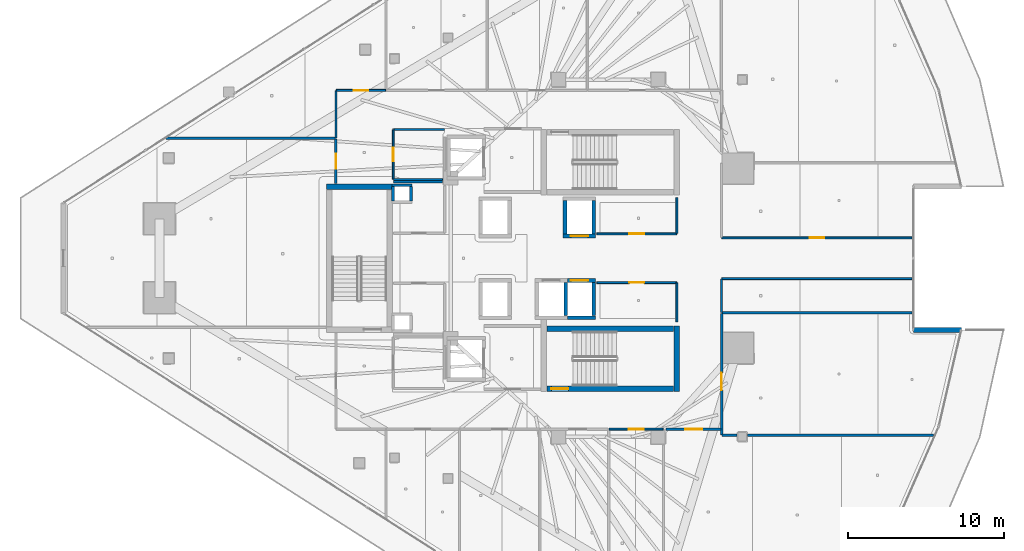
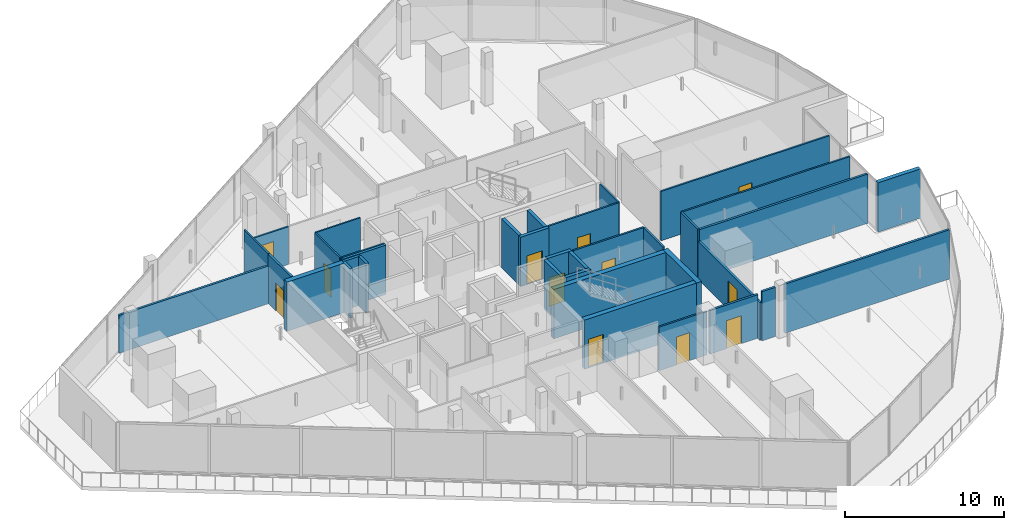
# One storey, part 26 of 37: 36 walls, 12 doors, 12 openings.
"""IFC4 building model written with IfcOpenShell, lengths in metres."""

from ifc_helpers import new_model, si_unit, direction, frame, frame_2d, origin, place, context, subcontext, project, spatial, rectangle, extrude, material, layer, layer_set, type_object, element, fill, save


model = new_model("IFC4")

# Units and contexts
model_context = context("Model", 3, precision=1e-05, world=origin(), true_north=direction((0.0, 1.0)))
body_context = subcontext(model_context, "Body", "Model", "MODEL_VIEW")
ifc_project = project(units=[si_unit("LENGTHUNIT", "METRE"), si_unit("AREAUNIT", "SQUARE_METRE"), si_unit("VOLUMEUNIT", "CUBIC_METRE"), si_unit("PLANEANGLEUNIT", "RADIAN"), si_unit("MASSUNIT", "GRAM", prefix="KILO")], contexts=[model_context])

# Site, building, storey
site_placement = place(None, origin())
site = spatial("IfcSite", under=ifc_project, at=site_placement, CompositionType="ELEMENT")
building_placement = place(site_placement, origin())
building = spatial("IfcBuilding", under=site, at=building_placement, Name="Qorvath Tower", CompositionType="ELEMENT")
storey_placement = place(building_placement, frame((0.0, 0.0, 188.85009765625)))
storey = spatial("IfcBuildingStorey", under=building, at=storey_placement, Name="L43", CompositionType="ELEMENT", Elevation=188.85009765625)

# Walls
ifc_material_1 = material(Name="Gypsum shaftliner on steel studs", Category="steel")
ifc_layer_1 = layer(ifc_material_1, 0.179931640625)
ifc_layer_set_1 = layer_set([ifc_layer_1], Name="FW-LOBBY")
wall_type_1 = type_object("IfcWallType", Name="FW-LOBBY", PredefinedType="PARTITIONING", material=ifc_layer_set_1)
wall_1_placement = place(storey_placement, frame((-34.260009765625, 4.675048828125, 0.0), z_axis=(0.0, 0.0, 1.0), x_axis=(1.0, 0.0, 0.0)))
element("IfcWall", 1, at=wall_1_placement, inside=storey, type_object=wall_type_1, Name="MEP Riser Shaft Enclosure Wall N-L43-N", PredefinedType="PARTITIONING", context=body_context, shape_type="SweptSolid", body=[
    extrude(rectangle(XDim=1.27001953125, YDim=0.179931640625, at=frame_2d((0.635009765625, 0.0))), origin(), (0.0, 0.0, 1.0), 3.77978515625),
])
for number, where, z_axis, x_axis, name in (
    (2, (-34.205078125, 3.659912109375, 0.0), (0.0, 0.0, 1.0), (0.0, 1.0, 0.0), "MEP Riser Shaft Enclosure Wall N-L43-W"),
    (3, (-33.044921875, 4.610107421875, 0.0), (0.0, 0.0, 1.0), (0.0, -1.0, 0.0), "MEP Riser Shaft Enclosure Wall N-L43-E"),
):
    element("IfcWall", number, at=place(storey_placement, frame(where, z_axis=z_axis, x_axis=x_axis)), inside=storey, type_object=wall_type_1, Name=name, PredefinedType="PARTITIONING", context=body_context, shape_type="SweptSolid", body=[
        extrude(rectangle(XDim=0.9501953125, YDim=0.179931640625, at=frame_2d((0.47509765625, 0.0))), origin(), (0.0, 0.0, 1.0), 3.77978515625),
    ])
wall_2_placement = place(storey_placement, frame((-31.014892578125, 4.89990234375, 0.0), z_axis=(0.0, 0.0, 1.0), x_axis=(-1.0, 0.0, 0.0)))
element("IfcWall", 4, at=wall_2_placement, inside=storey, type_object=wall_type_1, Name="Interior Partition IW-T1-L43-019", PredefinedType="PARTITIONING", context=body_context, shape_type="SweptSolid", body=[
    extrude(rectangle(XDim=3.139892578125, YDim=0.179931640625, at=frame_2d((1.56982421875, 0.0))), origin(), (0.0, 0.0, 1.0), 3.77978515625),
])
ifc_material_2 = material(Name="Double acoustic gypsum board on steel studs", Category="steel")
ifc_layer_2 = layer(ifc_material_2, 0.159912109375)
ifc_layer_set_2 = layer_set([ifc_layer_2], Name="IW-ACOUSTIC-160")
wall_type_2 = type_object("IfcWallType", Name="IW-ACOUSTIC-160", PredefinedType="PARTITIONING", material=ifc_layer_set_2)
wall_3_placement = place(storey_placement, frame((0.459716796875, -11.3583984375, 0.0), z_axis=(0.0, 0.0, 1.0), x_axis=(-0.999999924277, 0.000389160817, 0.0)))
element("IfcWall", 5, at=wall_3_placement, inside=storey, type_object=wall_type_2, Name="Interior Partition IW-T1-L43-042", PredefinedType="PARTITIONING", context=body_context, shape_type="SweptSolid", body=[
    extrude(rectangle(XDim=11.919677734375, YDim=0.159912109375, at=frame_2d((5.9599609375, 0.0))), origin(), (0.0, 0.0, 1.0), 3.77978515625),
])
wall_4_placement = place(storey_placement, frame((-12.139892578125, -11.3544921875, 0.0), z_axis=(0.0, 0.0, 1.0), x_axis=(-0.999999723608, 0.000743494218, 0.0)))
element("IfcWall", 6, at=wall_4_placement, inside=storey, type_object=wall_type_2, Name="Interior Partition IW-T1-L43-043", PredefinedType="PARTITIONING", context=body_context, shape_type="SweptSolid", body=[
    extrude(rectangle(XDim=0.985107421875, YDim=0.159912109375, at=frame_2d((0.49267578125, 0.0))), origin(), (0.0, 0.0, 1.0), 3.77978515625),
])

# Wall, opening, door
wall_5_placement = place(storey_placement, frame((-13.1748046875, -10.9580078125, 0.0), z_axis=(0.0, 0.0, 1.0), x_axis=(-0.999997523311, -0.002225616967, 0.0)))
wall_5 = element("IfcWall", 7, at=wall_5_placement, inside=storey, type_object=wall_type_2, Name="Interior Partition IW-T1-L43-044", PredefinedType="PARTITIONING", context=body_context, shape_type="SweptSolid", body=[
    extrude(rectangle(XDim=3.51025390625, YDim=0.159912109375, at=frame_2d((1.755126953125, 0.0))), origin(), (0.0, 0.0, 1.0), 3.343994140625),
])
opening_1_placement = place(wall_5_placement, frame((1.205078125, 0.0, 0.0)))
opening_1 = element("IfcOpeningElement", 8, at=opening_1_placement, cuts=wall_5, Name="Opening D-T1-L43-14", PredefinedType="OPENING", context=body_context, shape_type="SweptSolid", body=[
    extrude(rectangle(XDim=1.10009765625, YDim=2.14990234375, at=frame_2d((0.550048828125, 1.074951171875))), frame((0.0, 0.08984375, 0.0), z_axis=(0.0, -1.0, 0.0), x_axis=(1.0, 0.0, 0.0)), (0.0, 0.0, 1.0), 0.179931640625),
])
ifc_material_3 = material(Name="Anodised aluminium acoustic framed glass", Category="aluminium")
door_type_1 = type_object("IfcDoorType", Name="D-03", OperationType="NOTDEFINED", PredefinedType="DOOR", material=ifc_material_3)
door_1_placement = place(opening_1_placement, origin())
door_1 = element("IfcDoor", 9, at=door_1_placement, inside=storey, type_object=door_type_1, Name="L43-08 Team Project Office Door D-T1-L43-14", OperationType="SINGLE_SWING_RIGHT", OverallHeight=2.14990234375, OverallWidth=1.10009765625, PredefinedType="DOOR", context=body_context, shape_type="SweptSolid", body=[
    extrude(rectangle(XDim=1.10009765625, YDim=2.14990234375, at=frame_2d((0.550048828125, 1.074951171875))), frame((0.0, 0.02490234375, 0.0), z_axis=(0.0, -1.0, 0.0), x_axis=(1.0, 0.0, 0.0)), (0.0, 0.0, 1.0), 0.050048828125),
])
fill(opening_1, door_1)

# Wall
wall_6_placement = place(storey_placement, frame((-0.918212890625, -3.509765625, 0.0), z_axis=(0.0, 0.0, 1.0), x_axis=(-1.0, 0.0, 0.0)))
element("IfcWall", 10, at=wall_6_placement, inside=storey, type_object=wall_type_2, Name="Interior Partition IW-T1-L43-045", PredefinedType="PARTITIONING", context=body_context, shape_type="SweptSolid", body=[
    extrude(rectangle(XDim=12.198974609375, YDim=0.159912109375, at=frame_2d((6.099609375, 0.0))), origin(), (0.0, 0.0, 1.0), 3.77978515625),
])

# Wall, opening, door
wall_7_placement = place(storey_placement, frame((-13.14208984375, -3.534912109375, 0.0), z_axis=(0.0, 0.0, 1.0), x_axis=(0.0, -1.0, 0.0)))
wall_7 = element("IfcWall", 11, at=wall_7_placement, inside=storey, type_object=wall_type_2, Name="Interior Partition IW-T1-L43-046", PredefinedType="PARTITIONING", context=body_context, shape_type="SweptSolid", body=[
    extrude(rectangle(XDim=7.785888671875, YDim=0.159912109375, at=frame_2d((3.89306640625, 0.0))), origin(), (0.0, 0.0, 1.0), 2.899658203125),
])
opening_2_placement = place(wall_7_placement, frame((3.820556640625, 0.0, 0.0)))
opening_2 = element("IfcOpeningElement", 12, at=opening_2_placement, cuts=wall_7, Name="Opening D-T1-L43-15", PredefinedType="OPENING", context=body_context, shape_type="SweptSolid", body=[
    extrude(rectangle(XDim=1.10009765625, YDim=2.14990234375, at=frame_2d((0.550048828125, 1.074951171875))), frame((0.0, 0.08984375, 0.0), z_axis=(0.0, -1.0, 0.0), x_axis=(1.0, 0.0, 0.0)), (0.0, 0.0, 1.0), 0.179931640625),
])
door_2_placement = place(opening_2_placement, origin())
door_2 = element("IfcDoor", 13, at=door_2_placement, inside=storey, type_object=door_type_1, Name="L43-09 Enclosed Conference Suite Door D-T1-L43-15", OperationType="SINGLE_SWING_LEFT", OverallHeight=2.14990234375, OverallWidth=1.10009765625, PredefinedType="DOOR", context=body_context, shape_type="SweptSolid", body=[
    extrude(rectangle(XDim=1.10009765625, YDim=2.14990234375, at=frame_2d((0.550048828125, 1.074951171875))), frame((0.0, 0.02490234375, 0.0), z_axis=(0.0, -1.0, 0.0), x_axis=(1.0, 0.0, 0.0)), (0.0, 0.0, 1.0), 0.050048828125),
])
fill(opening_2, door_2)

wall_8_placement = place(storey_placement, frame((-37.85791015625, 4.783203125, 0.0), z_axis=(0.0, 0.0, 1.0), x_axis=(0.0, 1.0, 0.0)))
wall_8 = element("IfcWall", 14, at=wall_8_placement, inside=storey, type_object=wall_type_2, Name="Interior Partition IW-T1-L43-056", PredefinedType="PARTITIONING", context=body_context, shape_type="SweptSolid", body=[
    extrude(rectangle(XDim=2.8720703125, YDim=0.159912109375, at=frame_2d((1.43603515625, 0.0))), origin(), (0.0, 0.0, 1.0), 3.77978515625),
])
opening_3_placement = place(wall_8_placement, frame((0.9609375, 0.0, 0.0)))
opening_3 = element("IfcOpeningElement", 15, at=opening_3_placement, cuts=wall_8, Name="Opening D-T1-L43-19", PredefinedType="OPENING", context=body_context, shape_type="SweptSolid", body=[
    extrude(rectangle(XDim=0.949951171875, YDim=2.14990234375, at=frame_2d((0.47509765625, 1.074951171875))), frame((0.0, 0.08984375, 0.0), z_axis=(0.0, -1.0, 0.0), x_axis=(1.0, 0.0, 0.0)), (0.0, 0.0, 1.0), 0.179931640625),
])
ifc_material_4 = material(Name="Solid-core American white oak veneer", Category="wood")
door_type_2 = type_object("IfcDoorType", Name="D-01", OperationType="NOTDEFINED", PredefinedType="DOOR", material=ifc_material_4)
door_3_placement = place(opening_3_placement, origin())
door_3 = element("IfcDoor", 16, at=door_3_placement, inside=storey, type_object=door_type_2, Name="L43-13 Staff Wellness Studio Door D-T1-L43-19", OperationType="SINGLE_SWING_LEFT", OverallHeight=2.14990234375, OverallWidth=0.949951171875, PredefinedType="DOOR", context=body_context, shape_type="SweptSolid", body=[
    extrude(rectangle(XDim=0.949951171875, YDim=2.14990234375, at=frame_2d((0.47509765625, 1.074951171875))), frame((0.0, 0.02490234375, 0.0), z_axis=(0.0, -1.0, 0.0), x_axis=(1.0, 0.0, 0.0)), (0.0, 0.0, 1.0), 0.050048828125),
])
fill(opening_3, door_3)

# Wall
wall_9_placement = place(storey_placement, frame((-37.8828125, 7.68017578125, 0.0), z_axis=(0.0, 0.0, 1.0), x_axis=(-1.0, 0.0, 0.0)))
element("IfcWall", 17, at=wall_9_placement, inside=storey, type_object=wall_type_2, Name="Interior Partition IW-T1-L43-057", PredefinedType="PARTITIONING", context=body_context, shape_type="SweptSolid", body=[
    extrude(rectangle(XDim=10.886474609375, YDim=0.159912109375, at=frame_2d((5.443359375, 0.0))), origin(), (0.0, 0.0, 1.0), 2.899658203125),
])

# Wall, opening, door
ifc_material_5 = material(Name="Gypsum board on metal studs with mineral wool", Category="gypsum")
ifc_layer_3 = layer(ifc_material_5, 0.125)
ifc_layer_set_3 = layer_set([ifc_layer_3], Name="IW-PART-125")
wall_type_3 = type_object("IfcWallType", Name="IW-PART-125", PredefinedType="PARTITIONING", material=ifc_layer_set_3)
wall_10_placement = place(storey_placement, frame((-21.1337890625, 1.56005859375, 0.0), z_axis=(0.0, 0.0, 1.0), x_axis=(1.0, 0.0, 0.0)))
wall_10 = element("IfcWall", 18, at=wall_10_placement, inside=storey, type_object=wall_type_3, Name="Interior Partition IW-T1-L43-013", PredefinedType="PARTITIONING", context=body_context, shape_type="SweptSolid", body=[
    extrude(rectangle(XDim=5.10888671875, YDim=0.125, at=frame_2d((2.554443359375, 0.0))), origin(), (0.0, 0.0, 1.0), 3.77978515625),
])
opening_4_placement = place(wall_10_placement, frame((2.079345703125, 0.0, 0.0)))
opening_4 = element("IfcOpeningElement", 19, at=opening_4_placement, cuts=wall_10, Name="Opening D-T1-L43-03", PredefinedType="OPENING", context=body_context, shape_type="SweptSolid", body=[
    extrude(rectangle(XDim=0.949951171875, YDim=2.14990234375, at=frame_2d((0.47509765625, 1.074951171875))), frame((0.0, 0.072509765625, 0.0), z_axis=(0.0, -1.0, 0.0), x_axis=(1.0, 0.0, 0.0)), (0.0, 0.0, 1.0), 0.14501953125),
])
door_4_placement = place(opening_4_placement, origin())
door_4 = element("IfcDoor", 20, at=door_4_placement, inside=storey, type_object=door_type_2, Name="L43-RCN North Quantitative Server Suite Door D-T1-L43-03", OperationType="SINGLE_SWING_LEFT", OverallHeight=2.14990234375, OverallWidth=0.949951171875, PredefinedType="DOOR", context=body_context, shape_type="SweptSolid", body=[
    extrude(rectangle(XDim=0.949951171875, YDim=2.14990234375, at=frame_2d((0.47509765625, 1.074951171875))), frame((0.0, 0.02490234375, 0.0), z_axis=(0.0, -1.0, 0.0), x_axis=(1.0, 0.0, 0.0)), (0.0, 0.0, 1.0), 0.050048828125),
])
fill(opening_4, door_4)

# Walls
wall_11_placement = place(storey_placement, frame((-16.0, 1.585205078125, 0.0), z_axis=(0.0, 0.0, 1.0), x_axis=(0.0, 1.0, 0.0)))
element("IfcWall", 21, at=wall_11_placement, inside=storey, type_object=wall_type_3, Name="Interior Partition IW-T1-L43-014", PredefinedType="PARTITIONING", context=body_context, shape_type="SweptSolid", body=[
    extrude(rectangle(XDim=2.30224609375, YDim=0.125, at=frame_2d((1.151123046875, 0.0))), origin(), (0.0, 0.0, 1.0), 3.77978515625),
])
wall_12_placement = place(storey_placement, frame((-16.0, -4.0751953125, 0.0), z_axis=(0.0, 0.0, 1.0), x_axis=(0.0, 1.0, 0.0)))
element("IfcWall", 22, at=wall_12_placement, inside=storey, type_object=wall_type_3, Name="Interior Partition IW-T1-L43-015", PredefinedType="PARTITIONING", context=body_context, shape_type="SweptSolid", body=[
    extrude(rectangle(XDim=2.489990234375, YDim=0.125, at=frame_2d((1.2451171875, 0.0))), origin(), (0.0, 0.0, 1.0), 3.77978515625),
])

# Wall, opening, door
wall_13_placement = place(storey_placement, frame((-16.02490234375, -1.56005859375, 0.0), z_axis=(0.0, 0.0, 1.0), x_axis=(-1.0, 0.0, 0.0)))
wall_13 = element("IfcWall", 23, at=wall_13_placement, inside=storey, type_object=wall_type_3, Name="Interior Partition IW-T1-L43-016", PredefinedType="PARTITIONING", context=body_context, shape_type="SweptSolid", body=[
    extrude(rectangle(XDim=5.10888671875, YDim=0.125, at=frame_2d((2.554443359375, 0.0))), origin(), (0.0, 0.0, 1.0), 3.77978515625),
])
opening_5_placement = place(wall_13_placement, frame((2.079345703125, 0.0, 0.0)))
opening_5 = element("IfcOpeningElement", 24, at=opening_5_placement, cuts=wall_13, Name="Opening D-T1-L43-04", PredefinedType="OPENING", context=body_context, shape_type="SweptSolid", body=[
    extrude(rectangle(XDim=0.949951171875, YDim=2.14990234375, at=frame_2d((0.47509765625, 1.074951171875))), frame((0.0, 0.072509765625, 0.0), z_axis=(0.0, -1.0, 0.0), x_axis=(1.0, 0.0, 0.0)), (0.0, 0.0, 1.0), 0.14501953125),
])
door_5_placement = place(opening_5_placement, origin())
door_5 = element("IfcDoor", 25, at=door_5_placement, inside=storey, type_object=door_type_2, Name="L43-RCS South Quantitative Server Suite Door D-T1-L43-04", OperationType="SINGLE_SWING_RIGHT", OverallHeight=2.14990234375, OverallWidth=0.949951171875, PredefinedType="DOOR", context=body_context, shape_type="SweptSolid", body=[
    extrude(rectangle(XDim=0.949951171875, YDim=2.14990234375, at=frame_2d((0.47509765625, 1.074951171875))), frame((0.0, 0.02490234375, 0.0), z_axis=(0.0, -1.0, 0.0), x_axis=(1.0, 0.0, 0.0)), (0.0, 0.0, 1.0), 0.050048828125),
])
fill(opening_5, door_5)

wall_14_placement = place(storey_placement, frame((-16.884521484375, -10.9580078125, 0.0), z_axis=(0.0, 0.0, 1.0), x_axis=(-1.0, 0.0, 0.0)))
wall_14 = element("IfcWall", 26, at=wall_14_placement, inside=storey, type_object=wall_type_3, Name="Interior Partition IW-T1-L43-039", PredefinedType="PARTITIONING", context=body_context, shape_type="SweptSolid", body=[
    extrude(rectangle(XDim=3.465087890625, YDim=0.125, at=frame_2d((1.732421875, 0.0))), origin(), (0.0, 0.0, 1.0), 3.343994140625),
])
opening_6_placement = place(wall_14_placement, frame((1.257568359375, 0.0, 0.0)))
opening_6 = element("IfcOpeningElement", 27, at=opening_6_placement, cuts=wall_14, Name="Opening D-T1-L43-13", PredefinedType="OPENING", context=body_context, shape_type="SweptSolid", body=[
    extrude(rectangle(XDim=0.949951171875, YDim=2.14990234375, at=frame_2d((0.47509765625, 1.074951171875))), frame((0.0, 0.072509765625, 0.0), z_axis=(0.0, -1.0, 0.0), x_axis=(1.0, 0.0, 0.0)), (0.0, 0.0, 1.0), 0.14501953125),
])
door_6_placement = place(opening_6_placement, origin())
door_6 = element("IfcDoor", 28, at=door_6_placement, inside=storey, type_object=door_type_2, Name="L43-07 Quantitative Research Studio Door D-T1-L43-13", OperationType="SINGLE_SWING_LEFT", OverallHeight=2.14990234375, OverallWidth=0.949951171875, PredefinedType="DOOR", context=body_context, shape_type="SweptSolid", body=[
    extrude(rectangle(XDim=0.949951171875, YDim=2.14990234375, at=frame_2d((0.47509765625, 1.074951171875))), frame((0.0, 0.02490234375, 0.0), z_axis=(0.0, -1.0, 0.0), x_axis=(1.0, 0.0, 0.0)), (0.0, 0.0, 1.0), 0.050048828125),
])
fill(opening_6, door_6)

wall_15_placement = place(storey_placement, frame((-13.1171875, 1.30810546875, 0.0), z_axis=(0.0, 0.0, 1.0), x_axis=(1.0, 0.0, 0.0)))
wall_15 = element("IfcWall", 29, at=wall_15_placement, inside=storey, type_object=wall_type_3, Name="Interior Partition IW-T1-L43-049", PredefinedType="PARTITIONING", context=body_context, shape_type="SweptSolid", body=[
    extrude(rectangle(XDim=12.198974609375, YDim=0.125, at=frame_2d((6.099609375, 0.0))), origin(), (0.0, 0.0, 1.0), 3.77978515625),
])
opening_7_placement = place(wall_15_placement, frame((5.62451171875, 0.0, 0.0)))
opening_7 = element("IfcOpeningElement", 30, at=opening_7_placement, cuts=wall_15, Name="Opening D-T1-L43-16", PredefinedType="OPENING", context=body_context, shape_type="SweptSolid", body=[
    extrude(rectangle(XDim=0.949951171875, YDim=2.14990234375, at=frame_2d((0.47509765625, 1.074951171875))), frame((0.0, 0.072509765625, 0.0), z_axis=(0.0, -1.0, 0.0), x_axis=(1.0, 0.0, 0.0)), (0.0, 0.0, 1.0), 0.14501953125),
])
door_7_placement = place(opening_7_placement, origin())
door_7 = element("IfcDoor", 31, at=door_7_placement, inside=storey, type_object=door_type_2, Name="L43-10 Focus Collaboration Pod Door D-T1-L43-16", OperationType="SINGLE_SWING_RIGHT", OverallHeight=2.14990234375, OverallWidth=0.949951171875, PredefinedType="DOOR", context=body_context, shape_type="SweptSolid", body=[
    extrude(rectangle(XDim=0.949951171875, YDim=2.14990234375, at=frame_2d((0.47509765625, 1.074951171875))), frame((0.0, 0.02490234375, 0.0), z_axis=(0.0, -1.0, 0.0), x_axis=(1.0, 0.0, 0.0)), (0.0, 0.0, 1.0), 0.050048828125),
])
fill(opening_7, door_7)

# Walls
wall_16_placement = place(storey_placement, frame((-13.1171875, -1.30810546875, 0.0), z_axis=(0.0, 0.0, 1.0), x_axis=(1.0, 0.0, 0.0)))
element("IfcWall", 32, at=wall_16_placement, inside=storey, type_object=wall_type_3, Name="Interior Partition IW-T1-L43-050", PredefinedType="PARTITIONING", context=body_context, shape_type="SweptSolid", body=[
    extrude(rectangle(XDim=12.198974609375, YDim=0.125, at=frame_2d((6.099609375, 0.0))), origin(), (0.0, 0.0, 1.0), 3.77978515625),
])
wall_17_placement = place(storey_placement, frame((-13.14208984375, -1.3330078125, 0.0), z_axis=(0.0, 0.0, 1.0), x_axis=(0.0, -1.0, 0.0)))
element("IfcWall", 33, at=wall_17_placement, inside=storey, type_object=wall_type_3, Name="Interior Partition IW-T1-L43-051", PredefinedType="PARTITIONING", context=body_context, shape_type="SweptSolid", body=[
    extrude(rectangle(XDim=2.14404296875, YDim=0.125, at=frame_2d((1.072021484375, 0.0))), origin(), (0.0, 0.0, 1.0), 3.77978515625),
])
wall_18_placement = place(storey_placement, frame((-37.85791015625, 7.713134765625, 0.0), z_axis=(0.0, 0.0, 1.0), x_axis=(0.0, 1.0, 0.0)))
element("IfcWall", 34, at=wall_18_placement, inside=storey, type_object=wall_type_3, Name="Interior Partition IW-T1-L43-058", PredefinedType="PARTITIONING", context=body_context, shape_type="SweptSolid", body=[
    extrude(rectangle(XDim=3.02001953125, YDim=0.125, at=frame_2d((1.510009765625, 0.0))), origin(), (0.0, 0.0, 1.0), 3.77978515625),
])

# Wall, opening, door
wall_19_placement = place(storey_placement, frame((-37.8330078125, 10.758056640625, 0.0), z_axis=(0.0, 0.0, 1.0), x_axis=(1.0, 0.0, 0.0)))
wall_19 = element("IfcWall", 35, at=wall_19_placement, inside=storey, type_object=wall_type_3, Name="Interior Partition IW-T1-L43-059", PredefinedType="PARTITIONING", context=body_context, shape_type="SweptSolid", body=[
    extrude(rectangle(XDim=3.14990234375, YDim=0.125, at=frame_2d((1.574951171875, 0.0))), origin(), (0.0, 0.0, 1.0), 2.899658203125),
])
opening_8_placement = place(wall_19_placement, frame((1.099853515625, 0.0, 0.0)))
opening_8 = element("IfcOpeningElement", 36, at=opening_8_placement, cuts=wall_19, Name="Opening D-T1-L43-20", PredefinedType="OPENING", context=body_context, shape_type="SweptSolid", body=[
    extrude(rectangle(XDim=0.949951171875, YDim=2.14990234375, at=frame_2d((0.47509765625, 1.074951171875))), frame((0.0, 0.072509765625, 0.0), z_axis=(0.0, -1.0, 0.0), x_axis=(1.0, 0.0, 0.0)), (0.0, 0.0, 1.0), 0.14501953125),
])
door_8_placement = place(opening_8_placement, origin())
door_8 = element("IfcDoor", 37, at=door_8_placement, inside=storey, type_object=door_type_2, Name="L43-14 Design Pin-Up Atelier Door D-T1-L43-20", OperationType="SINGLE_SWING_RIGHT", OverallHeight=2.14990234375, OverallWidth=0.949951171875, PredefinedType="DOOR", context=body_context, shape_type="SweptSolid", body=[
    extrude(rectangle(XDim=0.949951171875, YDim=2.14990234375, at=frame_2d((0.47509765625, 1.074951171875))), frame((0.0, 0.02490234375, 0.0), z_axis=(0.0, -1.0, 0.0), x_axis=(1.0, 0.0, 0.0)), (0.0, 0.0, 1.0), 0.050048828125),
])
fill(opening_8, door_8)

ifc_material_6 = material(Name="Moisture-resistant cement board on metal studs", Category="gypsum")
ifc_layer_4 = layer(ifc_material_6, 0.110107421875)
ifc_layer_set_4 = layer_set([ifc_layer_4], Name="IW-WC-110")
wall_type_4 = type_object("IfcWallType", Name="IW-WC-110", PredefinedType="PARTITIONING", material=ifc_layer_set_4)
wall_20_placement = place(storey_placement, frame((-34.179931640625, 8.22509765625, 0.0), z_axis=(0.0, 0.0, 1.0), x_axis=(0.0, -1.0, 0.0)))
wall_20 = element("IfcWall", 38, at=wall_20_placement, inside=storey, type_object=wall_type_4, Name="Interior Partition IW-T1-L43-005", PredefinedType="PARTITIONING", context=body_context, shape_type="SweptSolid", body=[
    extrude(rectangle(XDim=3.150146484375, YDim=0.110107421875, at=frame_2d((1.5751953125, 0.0))), origin(), (0.0, 0.0, 1.0), 3.77978515625),
])
opening_9_placement = place(wall_20_placement, frame((1.135009765625, 0.0, 0.0)))
opening_9 = element("IfcOpeningElement", 39, at=opening_9_placement, cuts=wall_20, Name="Opening D-T1-L43-01", PredefinedType="OPENING", context=body_context, shape_type="SweptSolid", body=[
    extrude(rectangle(XDim=0.8798828125, YDim=2.10009765625, at=frame_2d((0.43994140625, 1.050048828125))), frame((0.0, 0.06494140625, 0.0), z_axis=(0.0, -1.0, 0.0), x_axis=(1.0, 0.0, 0.0)), (0.0, 0.0, 1.0), 0.130126953125),
])
ifc_material_7 = material(Name="Solid-core oak with acoustic drop seal", Category="wood")
door_type_3 = type_object("IfcDoorType", Name="D-02", OperationType="NOTDEFINED", PredefinedType="DOOR", material=ifc_material_7)
door_9_placement = place(opening_9_placement, origin())
door_9 = element("IfcDoor", 40, at=door_9_placement, inside=storey, type_object=door_type_3, Name="WC All-Gender North L43 Door D-T1-L43-01", OperationType="SINGLE_SWING_LEFT", OverallHeight=2.10009765625, OverallWidth=0.8798828125, PredefinedType="DOOR", context=body_context, shape_type="SweptSolid", body=[
    extrude(rectangle(XDim=0.8798828125, YDim=2.10009765625, at=frame_2d((0.43994140625, 1.050048828125))), frame((0.0, 0.02490234375, 0.0), z_axis=(0.0, -1.0, 0.0), x_axis=(1.0, 0.0, 0.0)), (0.0, 0.0, 1.0), 0.050048828125),
])
fill(opening_9, door_9)

# Walls
wall_21_placement = place(storey_placement, frame((-34.15478515625, 5.050048828125, 0.0), z_axis=(0.0, 0.0, 1.0), x_axis=(1.0, 0.0, 0.0)))
element("IfcWall", 41, at=wall_21_placement, inside=storey, type_object=wall_type_4, Name="Interior Partition IW-T1-L43-006", PredefinedType="PARTITIONING", context=body_context, shape_type="SweptSolid", body=[
    extrude(rectangle(XDim=3.139892578125, YDim=0.110107421875, at=frame_2d((1.56982421875, 0.0))), origin(), (0.0, 0.0, 1.0), 3.77978515625),
])
wall_22_placement = place(storey_placement, frame((-30.90478515625, 8.25, 0.0), z_axis=(0.0, 0.0, 1.0), x_axis=(-1.0, 0.0, 0.0)))
element("IfcWall", 42, at=wall_22_placement, inside=storey, type_object=wall_type_4, Name="Interior Partition IW-T1-L43-008", PredefinedType="PARTITIONING", context=body_context, shape_type="SweptSolid", body=[
    extrude(rectangle(XDim=3.25, YDim=0.110107421875, at=frame_2d((1.625, 0.0))), origin(), (0.0, 0.0, 1.0), 3.77978515625),
])

# Wall, opening, door
ifc_material_8 = material(Name="Concrete C60/75", Category="concrete")
ifc_layer_5 = layer(ifc_material_8, 0.260009765625)
ifc_layer_set_5 = layer_set([ifc_layer_5], Name="SW-SHAFT")
wall_type_5 = type_object("IfcWallType", Name="SW-SHAFT", PredefinedType="SHEAR", material=ifc_layer_set_5)
wall_23_placement = place(storey_placement, frame((-21.2099609375, 1.429931640625, 0.0), z_axis=(0.0, 0.0, 1.0), x_axis=(-1.0, 0.0, 0.0)))
wall_23 = element("IfcWall", 43, at=wall_23_placement, inside=storey, type_object=wall_type_5, Name="Hoistway Wall PU-1 L43 S", PredefinedType="SHEAR", context=body_context, shape_type="SweptSolid", body=[
    extrude(rectangle(XDim=2.080078125, YDim=0.239990234375, at=frame_2d((1.0400390625, 0.0))), origin(), (0.0, 0.0, 1.0), 3.77978515625),
])
opening_10_placement = place(wall_23_placement, frame((0.489990234375, 0.0, 0.0)))
opening_10 = element("IfcOpeningElement", 44, at=opening_10_placement, cuts=wall_23, Name="Opening LD-PU-1-L43", PredefinedType="OPENING", context=body_context, shape_type="SweptSolid", body=[
    extrude(rectangle(XDim=1.10009765625, YDim=2.199951171875, at=frame_2d((0.550048828125, 1.10009765625))), frame((0.0, 0.1298828125, 0.0), z_axis=(0.0, -1.0, 0.0), x_axis=(1.0, 0.0, 0.0)), (0.0, 0.0, 1.0), 0.260009765625),
])
ifc_material_9 = material(Name="Brushed stainless steel AISI 316", Category="steel")
door_type_4 = type_object("IfcDoorType", Name="LD-01", OperationType="NOTDEFINED", PredefinedType="DOOR", material=ifc_material_9)
door_10_placement = place(opening_10_placement, origin())
door_10 = element("IfcDoor", 45, at=door_10_placement, inside=storey, type_object=door_type_4, Name="Elevator Landing Sliding Door LD-PU-1-L43", OperationType="DOUBLE_DOOR_SLIDING", OverallHeight=2.199951171875, OverallWidth=1.10009765625, PredefinedType="DOOR", context=body_context, shape_type="SweptSolid", body=[
    extrude(rectangle(XDim=1.10009765625, YDim=2.199951171875, at=frame_2d((0.550048828125, 1.10009765625))), frame((0.0, 0.02490234375, 0.0), z_axis=(0.0, -1.0, 0.0), x_axis=(1.0, 0.0, 0.0)), (0.0, 0.0, 1.0), 0.050048828125),
])
fill(opening_10, door_10)

# Walls
for number, where, z_axis, x_axis, name in (
    (46, (-23.169921875, 1.56201171875, 0.0), (0.0, 0.0, 1.0), (0.0, 1.0, 0.0), "Hoistway Wall PU-1 L43 W"),
    (47, (-21.330078125, 3.68798828125, 0.0), (0.0, 0.0, 1.0), (0.0, -1.0, 0.0), "Hoistway Wall PU-1 L43 E"),
    (48, (-23.1298828125, -1.56201171875, 0.0), (0.0, 0.0, 1.0), (0.0, -1.0, 0.0), "Hoistway Wall PU-2 L43 E"),
):
    element("IfcWall", number, at=place(storey_placement, frame(where, z_axis=z_axis, x_axis=x_axis)), inside=storey, type_object=wall_type_5, Name=name, PredefinedType="SHEAR", context=body_context, shape_type="SweptSolid", body=[
        extrude(rectangle(XDim=2.1259765625, YDim=0.239990234375, at=frame_2d((1.06298828125, 0.0))), origin(), (0.0, 0.0, 1.0), 3.77978515625),
    ])
wall_24_placement = place(storey_placement, frame((-21.2099609375, -3.820068359375, 0.0), z_axis=(0.0, 0.0, 1.0), x_axis=(-1.0, 0.0, 0.0)))
element("IfcWall", 49, at=wall_24_placement, inside=storey, type_object=wall_type_5, Name="Hoistway Wall PU-3 L43 S", PredefinedType="SHEAR", context=body_context, shape_type="SweptSolid", body=[
    extrude(rectangle(XDim=1.800048828125, YDim=0.239990234375, at=frame_2d((0.89990234375, 0.0))), origin(), (0.0, 0.0, 1.0), 3.77978515625),
])

# Wall, opening, door
wall_25_placement = place(storey_placement, frame((-23.010009765625, -1.429931640625, 0.0), z_axis=(0.0, 0.0, 1.0), x_axis=(1.0, 0.0, 0.0)))
wall_25 = element("IfcWall", 50, at=wall_25_placement, inside=storey, type_object=wall_type_5, Name="Hoistway Wall PU-3 L43 N", PredefinedType="SHEAR", context=body_context, shape_type="SweptSolid", body=[
    extrude(rectangle(XDim=1.800048828125, YDim=0.239990234375, at=frame_2d((0.89990234375, 0.0))), origin(), (0.0, 0.0, 1.0), 3.77978515625),
])
opening_11_placement = place(wall_25_placement, frame((0.2099609375, 0.0, 0.0)))
opening_11 = element("IfcOpeningElement", 51, at=opening_11_placement, cuts=wall_25, Name="Opening LD-PU-3-L43", PredefinedType="OPENING", context=body_context, shape_type="SweptSolid", body=[
    extrude(rectangle(XDim=1.10009765625, YDim=2.199951171875, at=frame_2d((0.550048828125, 1.10009765625))), frame((0.0, 0.1298828125, 0.0), z_axis=(0.0, -1.0, 0.0), x_axis=(1.0, 0.0, 0.0)), (0.0, 0.0, 1.0), 0.260009765625),
])
door_11_placement = place(opening_11_placement, origin())
door_11 = element("IfcDoor", 52, at=door_11_placement, inside=storey, type_object=door_type_4, Name="Elevator Landing Sliding Door LD-PU-3-L43", OperationType="DOUBLE_DOOR_SLIDING", OverallHeight=2.199951171875, OverallWidth=1.10009765625, PredefinedType="DOOR", context=body_context, shape_type="SweptSolid", body=[
    extrude(rectangle(XDim=1.10009765625, YDim=2.199951171875, at=frame_2d((0.550048828125, 1.10009765625))), frame((0.0, 0.02490234375, 0.0), z_axis=(0.0, -1.0, 0.0), x_axis=(1.0, 0.0, 0.0)), (0.0, 0.0, 1.0), 0.050048828125),
])
fill(opening_11, door_11)

# Walls
wall_26_placement = place(storey_placement, frame((-21.330078125, -1.56201171875, 0.0), z_axis=(0.0, 0.0, 1.0), x_axis=(0.0, -1.0, 0.0)))
element("IfcWall", 53, at=wall_26_placement, inside=storey, type_object=wall_type_5, Name="Hoistway Wall PU-3 L43 E", PredefinedType="SHEAR", context=body_context, shape_type="SweptSolid", body=[
    extrude(rectangle(XDim=2.1259765625, YDim=0.239990234375, at=frame_2d((1.06298828125, 0.0))), origin(), (0.0, 0.0, 1.0), 3.77978515625),
])
ifc_material_10 = material(Name="Concrete C60/75", Category="concrete")
ifc_layer_6 = layer(ifc_material_10, 0.35009765625)
ifc_layer_set_6 = layer_set([ifc_layer_6], Name="SW-STAIR")
wall_type_6 = type_object("IfcWallType", Name="SW-STAIR", PredefinedType="SHEAR", material=ifc_layer_set_6)
wall_27_placement = place(storey_placement, frame((-16.02490234375, -8.550048828125, 0.0), z_axis=(0.0, 0.0, 1.0), x_axis=(0.0, 1.0, 0.0)))
element("IfcWall", 54, at=wall_27_placement, inside=storey, type_object=wall_type_6, Name="Stair TS2 Shear Wall L43 FAR", PredefinedType="SHEAR", context=body_context, shape_type="SweptSolid", body=[
    extrude(rectangle(XDim=4.2099609375, YDim=0.35009765625, at=frame_2d((2.10498046875, 0.0))), origin(), (0.0, 0.0, 1.0), 3.77978515625),
])

# Wall, opening, door
wall_28_placement = place(storey_placement, frame((-24.3349609375, -8.375, 0.0), z_axis=(0.0, 0.0, 1.0), x_axis=(1.0, 0.0, 0.0)))
wall_28 = element("IfcWall", 55, at=wall_28_placement, inside=storey, type_object=wall_type_6, Name="Stair TS2 Shear Wall L43 LEFT", PredefinedType="SHEAR", context=body_context, shape_type="SweptSolid", body=[
    extrude(rectangle(XDim=8.119873046875, YDim=0.35009765625, at=frame_2d((4.06005859375, 0.0))), origin(), (0.0, 0.0, 1.0), 3.77978515625),
])
opening_12_placement = place(wall_28_placement, frame((0.280029296875, 0.0, 0.0)))
opening_12 = element("IfcOpeningElement", 56, at=opening_12_placement, cuts=wall_28, Name="Opening D-TS2-L43", PredefinedType="OPENING", context=body_context, shape_type="SweptSolid", body=[
    extrude(rectangle(XDim=1.10009765625, YDim=2.199951171875, at=frame_2d((0.550048828125, 1.10009765625))), frame((0.0, 0.18505859375, 0.0), z_axis=(0.0, -1.0, 0.0), x_axis=(1.0, 0.0, 0.0)), (0.0, 0.0, 1.0), 0.3701171875),
])
ifc_material_11 = material(Name="Painted galvanised hollow metal", Category="steel")
door_type_5 = type_object("IfcDoorType", Name="FD-90", OperationType="NOTDEFINED", PredefinedType="DOOR", material=ifc_material_11)
door_12_placement = place(opening_12_placement, origin())
door_12 = element("IfcDoor", 57, at=door_12_placement, inside=storey, type_object=door_type_5, Name="Stair TS2 Fire Door L43", OperationType="SINGLE_SWING_RIGHT", OverallHeight=2.199951171875, OverallWidth=1.10009765625, PredefinedType="DOOR", context=body_context, shape_type="SweptSolid", body=[
    extrude(rectangle(XDim=1.10009765625, YDim=2.199951171875, at=frame_2d((0.550048828125, 1.10009765625))), frame((0.0, 0.02490234375, 0.0), z_axis=(0.0, -1.0, 0.0), x_axis=(1.0, 0.0, 0.0)), (0.0, 0.0, 1.0), 0.050048828125),
])
fill(opening_12, door_12)

# Walls
wall_29_placement = place(storey_placement, frame((-16.215087890625, -4.514892578125, 0.0), z_axis=(0.0, 0.0, 1.0), x_axis=(-1.0, 0.0, 0.0)))
element("IfcWall", 58, at=wall_29_placement, inside=storey, type_object=wall_type_6, Name="Stair TS2 Shear Wall L43 RIGHT", PredefinedType="SHEAR", context=body_context, shape_type="SweptSolid", body=[
    extrude(rectangle(XDim=8.119873046875, YDim=0.35009765625, at=frame_2d((4.06005859375, 0.0))), origin(), (0.0, 0.0, 1.0), 3.77978515625),
])
wall_30_placement = place(storey_placement, frame((-34.25, 4.574951171875, 0.0), z_axis=(0.0, 0.0, 1.0), x_axis=(-1.0, 0.0, 0.0)))
element("IfcWall", 59, at=wall_30_placement, inside=storey, type_object=wall_type_6, Name="Stair TS3 Shear Wall L43 FAR", PredefinedType="SHEAR", context=body_context, shape_type="SweptSolid", body=[
    extrude(rectangle(XDim=4.2099609375, YDim=0.35009765625, at=frame_2d((2.10498046875, 0.0))), origin(), (0.0, 0.0, 1.0), 3.77978515625),
])
ifc_material_12 = material(Name="Precast concrete C45/55", Category="concrete")
ifc_layer_7 = layer(ifc_material_12, 0.300048828125)
ifc_layer_set_7 = layer_set([ifc_layer_7], Name="WL-EW-LOG-300")
wall_type_7 = type_object("IfcWallType", Name="WL-EW-LOG-300", PredefinedType="SOLIDWALL", material=ifc_layer_set_7)
wall_31_placement = place(storey_placement, frame((2.22900390625, -4.600830078125, 0.0), z_axis=(0.0, 0.0, 1.0), x_axis=(-1.0, 0.0, 0.0)))
element("IfcWall", 60, at=wall_31_placement, inside=storey, type_object=wall_type_7, Name="Tower Precast Loggia Wall L43-8.1", PredefinedType="SOLIDWALL", context=body_context, shape_type="SweptSolid", body=[
    extrude(rectangle(XDim=3.0673828125, YDim=0.300048828125, at=frame_2d((1.53369140625, 0.0))), origin(), (0.0, 0.0, 1.0), 3.77978515625),
])

save(model, "model.ifc")
